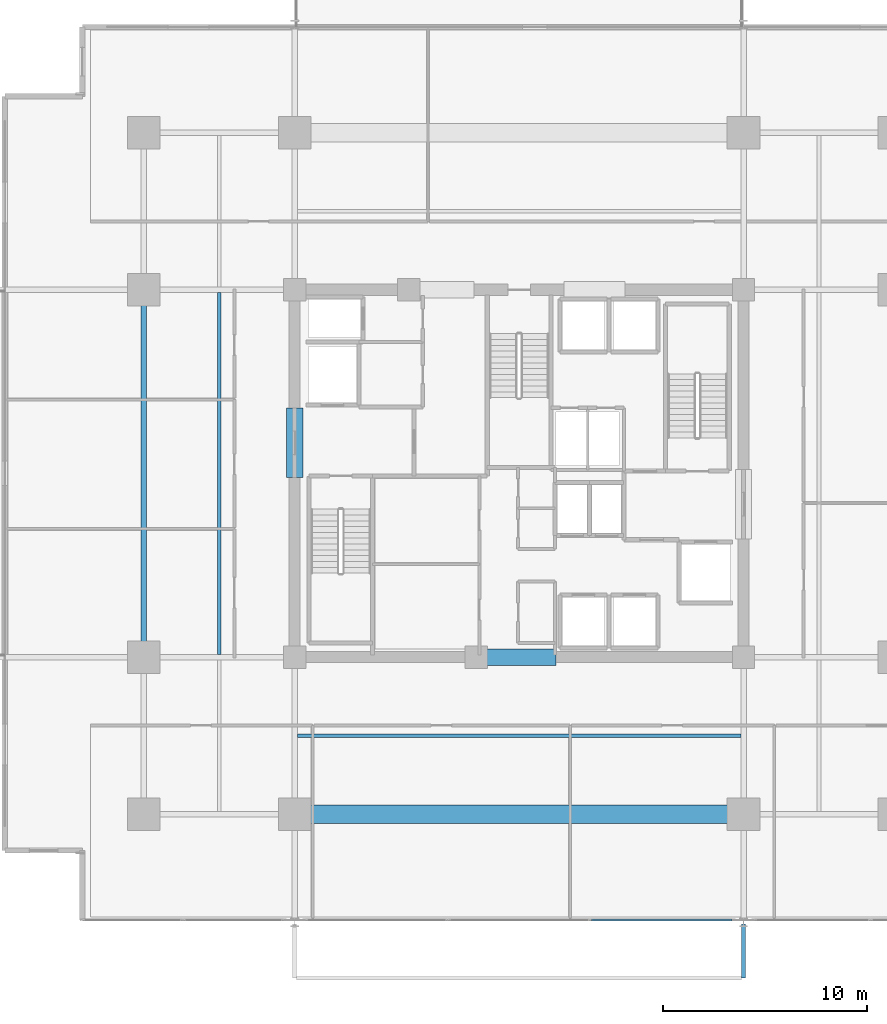
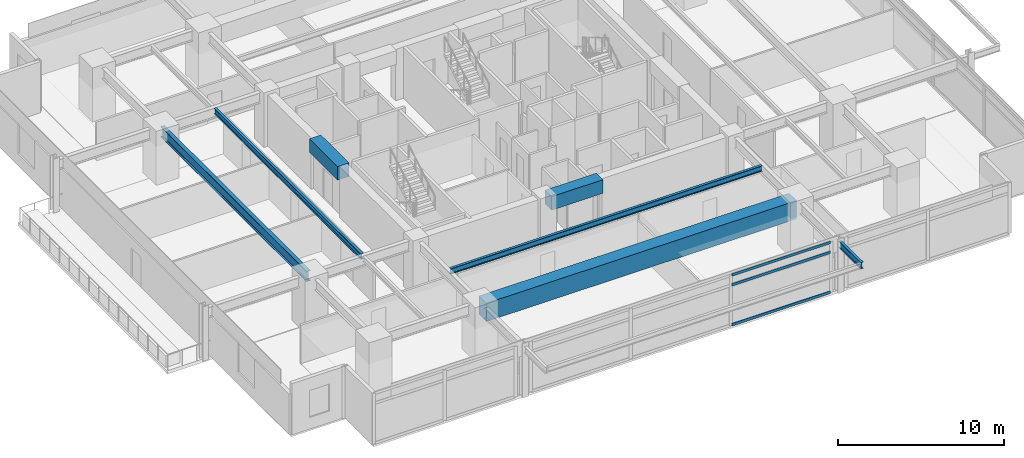
# One storey, part 6 of 23: 7 beams, 3 members, 1 element without a shape of its own.
"""IFC4 building model written with IfcOpenShell, lengths in metres."""

from ifc_helpers import new_model, si_unit, direction, frame, origin, origin_2d, place, context, subcontext, project, spatial, rectangle, hollow_rectangle, i_section, extrude, material, material_profile, profile_set, type_object, element, aggregate, save


model = new_model("IFC4")

# Units and contexts
model_context = context("Model", 3, precision=1e-05, world=origin(), true_north=direction((0.0, 1.0)))
body_context = subcontext(model_context, "Body", "Model", "MODEL_VIEW")
ifc_project = project(units=[si_unit("LENGTHUNIT", "METRE"), si_unit("AREAUNIT", "SQUARE_METRE"), si_unit("VOLUMEUNIT", "CUBIC_METRE"), si_unit("PLANEANGLEUNIT", "RADIAN"), si_unit("MASSUNIT", "GRAM", prefix="KILO")], contexts=[model_context])

# Site, building, storey
site_placement = place(None, origin())
site = spatial("IfcSite", under=ifc_project, at=site_placement, CompositionType="ELEMENT")
building_placement = place(site_placement, origin())
building = spatial("IfcBuilding", under=site, at=building_placement, Name="Kovane Verandah Tower", CompositionType="ELEMENT")
storey_placement = place(building_placement, frame((0.0, 0.0, 168.39990234375)))
storey = spatial("IfcBuildingStorey", under=building, at=storey_placement, Name="L39", CompositionType="ELEMENT", Elevation=168.39990234375)

# Beams
ifc_material_1 = material(Name="Concrete C60/75", Category="concrete")
ifc_material_profile_1 = material_profile(ifc_material_1, rectangle(XDim=0.800048828125, YDim=1.0, at=origin_2d()), Name="RCB800x1000")
ifc_profile_set_1 = profile_set([ifc_material_profile_1], Name="Concrete C60/75")
beam_type_1 = type_object("IfcBeamType", Name="BM-LINTEL-800x1000", PredefinedType="LINTEL", material=ifc_profile_set_1)
beam_1_placement = place(storey_placement, frame((38.199951171875, 18.5, 3.275146484375), z_axis=(1.0, 0.0, 0.0), x_axis=(0.0, 1.0, 0.0)))
element("IfcBeam", 1, at=beam_1_placement, inside=storey, type_object=beam_type_1, Name="L39 Core Coupling Lintel CL-S", PredefinedType="LINTEL", context=body_context, shape_type="SweptSolid", body=[
    extrude(rectangle(XDim=0.800048828125, YDim=1.0, at=origin_2d()), origin(), (0.0, 0.0, 1.0), 3.60009765625),
])
beam_2_placement = place(storey_placement, frame((29.0, 27.300048828125, 3.275146484375), z_axis=(0.0, 1.0, 0.0), x_axis=(-1.0, 0.0, 0.0)))
element("IfcBeam", 2, at=beam_2_placement, inside=storey, type_object=beam_type_1, Name="L39 Core Coupling Lintel CL-W", PredefinedType="LINTEL", context=body_context, shape_type="SweptSolid", body=[
    extrude(rectangle(XDim=0.800048828125, YDim=1.0, at=origin_2d()), origin(), (0.0, 0.0, 1.0), 3.39990234375),
])
ifc_material_2 = material(Name="Concrete C80/95", Category="concrete")
ifc_material_profile_2 = material_profile(ifc_material_2, rectangle(XDim=0.89990234375, YDim=1.35009765625, at=origin_2d()), Name="RCB900x1350")
ifc_profile_set_2 = profile_set([ifc_material_profile_2], Name="Concrete C80/95")
beam_type_2 = type_object("IfcBeamType", Name="BM-TR-900x1350", PredefinedType="BEAM", material=ifc_profile_set_2)
beam_3_placement = place(storey_placement, frame((29.179931640625, 10.800048828125, 3.10009765625), z_axis=(1.0, 0.0, 0.0), x_axis=(0.0, 1.0, 0.0)))
element("IfcBeam", 3, at=beam_3_placement, inside=storey, type_object=beam_type_2, Name="L39 Primary Tower Girder G-RS2", PredefinedType="BEAM", context=body_context, shape_type="SweptSolid", body=[
    extrude(rectangle(XDim=0.89990234375, YDim=1.35009765625, at=origin_2d()), origin(), (0.0, 0.0, 1.0), 21.64013671875),
])
ifc_material_3 = material(Name="Steel S355", Category="steel")
ifc_material_profile_3 = material_profile(ifc_material_3, i_section(OverallWidth=0.26806640625, OverallDepth=0.769775390625, WebThickness=0.015625, FlangeThickness=0.025390625, FilletRadius=0.0166015625, at=origin_2d()), Name="UB762x267x197")
ifc_profile_set_3 = profile_set([ifc_material_profile_3], Name="Steel S355")
beam_type_3 = type_object("IfcBeamType", Name="BM-UB762x197", PredefinedType="BEAM", material=ifc_profile_set_3)
beam_4_placement = place(storey_placement, frame((21.60009765625, 18.679931640625, 3.39013671875), z_axis=(0.0, 1.0, 0.0), x_axis=(-1.0, 0.0, 0.0)))
element("IfcBeam", 4, at=beam_4_placement, inside=storey, type_object=beam_type_3, Name="L39 Primary Tower Girder G-RW2", PredefinedType="BEAM", context=body_context, shape_type="SweptSolid", body=[
    extrude(i_section(OverallWidth=0.26806640625, OverallDepth=0.769775390625, WebThickness=0.015625, FlangeThickness=0.025390625, FilletRadius=0.0166015625, at=origin_2d()), origin(), (0.0, 0.0, 1.0), 17.64013671875),
])

# Curtain wall, members
ifc_material_4 = material(Name="Champagne Anodised Aluminium Frame with Low-E Clear Laminated Glass", Category="aluminium")
curtain_wall_type = type_object("IfcCurtainWallType", Name="CW-SYS-03-MID", PredefinedType="NOTDEFINED", material=ifc_material_4)
curtain_wall_placement = place(storey_placement, origin())
curtain_wall = element("IfcCurtainWall", 5, at=curtain_wall_placement, inside=storey, type_object=curtain_wall_type, Name="L39 S Unitised Curtain Wall-2", PredefinedType="NOTDEFINED")
ifc_material_5 = material(Name="Champagne Anodised Aluminium 6063-T6", Category="aluminium")
ifc_material_profile_4 = material_profile(ifc_material_5, hollow_rectangle(XDim=0.0849609375, YDim=0.18994140625, WallThickness=0.00390625, at=origin_2d()), Name="AL85x190x4")
ifc_profile_set_4 = profile_set([ifc_material_profile_4], Name="Champagne Anodised Aluminium 6063-T6")
member_type = type_object("IfcMemberType", Name="CW-TRN-85x190", PredefinedType="USERDEFINED", material=ifc_profile_set_4)
member_1_placement = place(storey_placement, frame((43.543212890625, 5.617919921875, 0.050048828125), z_axis=(1.0, 0.0, 0.0), x_axis=(0.0, 1.0, 0.0)))
member_1 = element("IfcMember", 6, at=member_1_placement, type_object=member_type, Name="L39 S Unitised Curtain Wall-2 Transom TB Bay 3", ObjectType="TRANSOM", PredefinedType="USERDEFINED", context=body_context, shape_type="SweptSolid", body=[
    extrude(hollow_rectangle(XDim=0.0849609375, YDim=0.18994140625, WallThickness=0.00390625, at=origin_2d()), origin(), (0.0, 0.0, 1.0), 6.88671875),
])
member_2_placement = place(storey_placement, frame((43.543212890625, 5.617919921875, 2.9951171875), z_axis=(1.0, 0.0, 0.0), x_axis=(0.0, 1.0, 0.0)))
member_2 = element("IfcMember", 7, at=member_2_placement, type_object=member_type, Name="L39 S Unitised Curtain Wall-2 Transom TM Bay 3", ObjectType="TRANSOM", PredefinedType="USERDEFINED", context=body_context, shape_type="SweptSolid", body=[
    extrude(hollow_rectangle(XDim=0.0849609375, YDim=0.18994140625, WallThickness=0.00390625, at=origin_2d()), origin(), (0.0, 0.0, 1.0), 6.88671875),
])
member_3_placement = place(storey_placement, frame((43.543212890625, 5.617919921875, 3.72509765625), z_axis=(1.0, 0.0, 0.0), x_axis=(0.0, 1.0, 0.0)))
member_3 = element("IfcMember", 8, at=member_3_placement, type_object=member_type, Name="L39 S Unitised Curtain Wall-2 Transom TT Bay 3", ObjectType="TRANSOM", PredefinedType="USERDEFINED", context=body_context, shape_type="SweptSolid", body=[
    extrude(hollow_rectangle(XDim=0.0849609375, YDim=0.18994140625, WallThickness=0.00390625, at=origin_2d()), origin(), (0.0, 0.0, 1.0), 6.88671875),
])
aggregate(curtain_wall, [member_1, member_2, member_3])

# Beams
ifc_material_profile_5 = material_profile(ifc_material_3, i_section(OverallWidth=0.179443359375, OverallDepth=0.412841796875, WebThickness=0.009521484375, FlangeThickness=0.01611328125, FilletRadius=0.01025390625, at=origin_2d()), Name="UB406x178x74")
ifc_profile_set_5 = profile_set([ifc_material_profile_5], Name="Steel S355")
beam_type_4 = type_object("IfcBeamType", Name="JST-UB406x74", PredefinedType="JOIST", material=ifc_profile_set_5)
beam_5_placement = place(storey_placement, frame((29.132080078125, 14.64990234375, 3.568603515625), z_axis=(1.0, 0.0, 0.0), x_axis=(0.0, 1.0, 0.0)))
element("IfcBeam", 9, at=beam_5_placement, inside=storey, type_object=beam_type_4, Name="L39 Secondary Composite Joist J-S1", PredefinedType="JOIST", context=body_context, shape_type="SweptSolid", body=[
    extrude(i_section(OverallWidth=0.179443359375, OverallDepth=0.412841796875, WebThickness=0.009521484375, FlangeThickness=0.01611328125, FilletRadius=0.01025390625, at=origin_2d()), origin(), (0.0, 0.0, 1.0), 21.73583984375),
])
beam_6_placement = place(storey_placement, frame((25.300048828125, 18.632080078125, 3.568603515625), z_axis=(0.0, 1.0, 0.0), x_axis=(-1.0, 0.0, 0.0)))
element("IfcBeam", 10, at=beam_6_placement, inside=storey, type_object=beam_type_4, Name="L39 Secondary Composite Joist J-W1", PredefinedType="JOIST", context=body_context, shape_type="SweptSolid", body=[
    extrude(i_section(OverallWidth=0.179443359375, OverallDepth=0.412841796875, WebThickness=0.009521484375, FlangeThickness=0.01611328125, FilletRadius=0.01025390625, at=origin_2d()), origin(), (0.0, 0.0, 1.0), 17.73583984375),
])
ifc_material_profile_6 = material_profile(ifc_material_3, i_section(OverallWidth=0.19287109375, OverallDepth=0.46728515625, WebThickness=0.011474609375, FlangeThickness=0.01953125, FilletRadius=0.01025390625, at=origin_2d()), Name="UB457x191x98")
ifc_profile_set_6 = profile_set([ifc_material_profile_6], Name="Steel S355")
beam_type_5 = type_object("IfcBeamType", Name="JST-UB457x98", PredefinedType="JOIST", material=ifc_profile_set_6)
beam_7_placement = place(storey_placement, frame((51.0, 5.419921875, 3.526611328125), z_axis=(0.0, -1.0, 0.0), x_axis=(1.0, 0.0, 0.0)))
element("IfcBeam", 11, at=beam_7_placement, inside=storey, type_object=beam_type_5, Name="L39 South Planter Girder 2", PredefinedType="JOIST", context=body_context, shape_type="SweptSolid", body=[
    extrude(i_section(OverallWidth=0.19287109375, OverallDepth=0.46728515625, WebThickness=0.011474609375, FlangeThickness=0.01953125, FilletRadius=0.01025390625, at=origin_2d()), origin(), (0.0, 0.0, 1.0), 2.6591796875),
])

save(model, "model.ifc")
